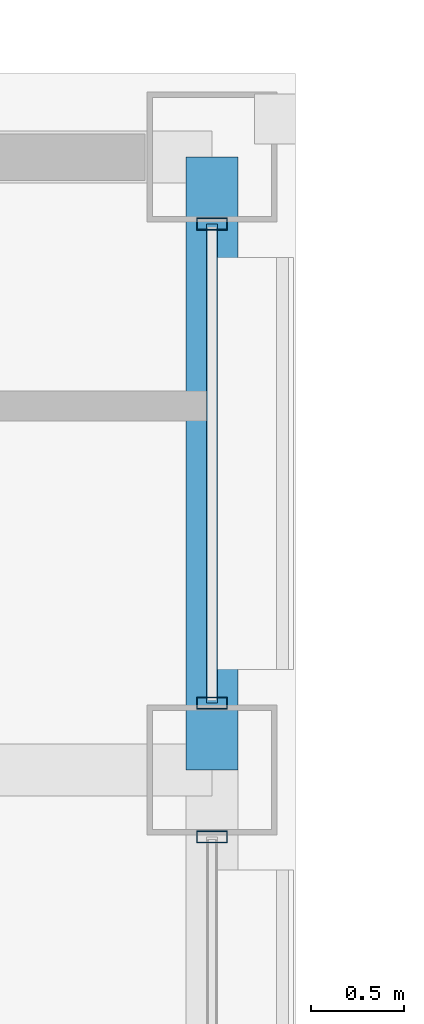
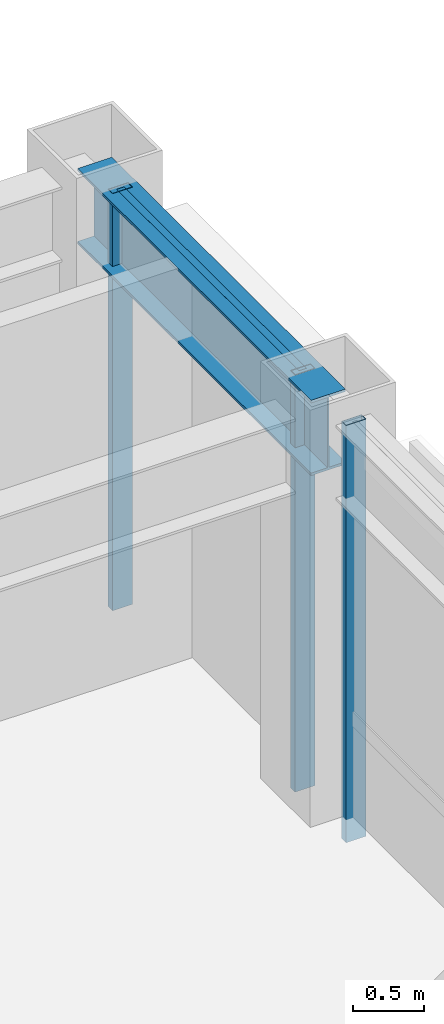
# One storey, part 18 of 30: 4 members, 1 beam, 2 elements without a shape of their own.
"""IFC4 building model written with IfcOpenShell, lengths in metres."""

import ifcopenshell
import ifcopenshell.guid

model = None  # the IFC model being written
_history = None  # IfcOwnerHistory: only IFC2X3 demands one
_inside = {}  # id of a spatial element -> (the spatial element, [elements in it])
_under = {}  # id of a project, library or spatial element -> (it, [spatial elements below it])
_declared = {}  # id of a project -> (the project, [libraries it declares])
_typed = {}  # id of a type object -> (the type object, [elements of that type])
_made_of = {}  # id of a material, layer set ... -> (it, [elements and type objects made of it])


def new_model(schema):
    """Start an empty IFC model of exactly this schema.

    Asked for "IFC4X3", IfcOpenShell would pick the latest addendum, in which some entities
    have other attributes; the version numbers below select the first issue.
    IFC2X3 requires an IfcOwnerHistory on every rooted entity: one is made here for all.
    """
    global model, _history
    if schema == "IFC4X3":
        model = ifcopenshell.file(schema_version=(4, 3, 0, 0))
    else:
        model = ifcopenshell.file(schema=schema)
    _inside.clear()
    _under.clear()
    _declared.clear()
    _typed.clear()
    _made_of.clear()
    _history = None
    if model.schema == "IFC2X3":
        org = make("IfcOrganization", Name="unknown")
        user = make(
            "IfcPersonAndOrganization",
            ThePerson=make("IfcPerson", FamilyName="unknown"),
            TheOrganization=org,
        )
        app = make(
            "IfcApplication",
            ApplicationDeveloper=org,
            Version="unknown",
            ApplicationFullName="unknown",
            ApplicationIdentifier="unknown",
        )
        _history = make(
            "IfcOwnerHistory",
            OwningUser=user,
            OwningApplication=app,
            ChangeAction="ADDED",
            CreationDate=0,
        )
    return model


def make(cls, **values):
    """One entity of the class cls with the attributes given. An attribute that is None is left unset."""
    return model.create_entity(
        cls, **{name: value for name, value in values.items() if value is not None}
    )


def rooted(cls, **values):
    """An entity with a GlobalId (a new one), such as an element, a storey or a relation."""
    return make(cls, GlobalId=ifcopenshell.guid.new(), OwnerHistory=_history, **values)


def si_unit(unit_type, name, prefix=None):
    """IfcSIUnit, for example si_unit("LENGTHUNIT", "METRE", prefix="MILLI")."""
    return make("IfcSIUnit", UnitType=unit_type, Prefix=prefix, Name=name)


def assignment(units):
    """IfcUnitAssignment: the units of a project."""
    return None if units is None else make("IfcUnitAssignment", Units=units)


def point(xyz):
    """IfcCartesianPoint."""
    return None if xyz is None else make("IfcCartesianPoint", Coordinates=xyz)


def direction(xyz):
    """IfcDirection."""
    return None if xyz is None else make("IfcDirection", DirectionRatios=xyz)


def frame(location, z_axis=None, x_axis=None):
    """IfcAxis2Placement3D, a coordinate frame: its origin and axes. An axis left out is left unset."""
    return make(
        "IfcAxis2Placement3D",
        Location=point(location),
        Axis=direction(z_axis),
        RefDirection=direction(x_axis),
    )


def frame_2d(location, x_axis=None):
    """IfcAxis2Placement2D, a coordinate frame in the plane: its origin and x axis."""
    return make(
        "IfcAxis2Placement2D", Location=point(location), RefDirection=direction(x_axis)
    )


def origin():
    """The frame at (0, 0, 0) with its axes left unset."""
    return frame((0.0, 0.0, 0.0))


def origin_2d():
    """The frame at (0, 0) in the plane with its x axis left unset."""
    return frame_2d((0.0, 0.0))


def place(relative_to, where):
    """IfcLocalPlacement: puts the frame where relative to a parent placement (None: the world)."""
    return make(
        "IfcLocalPlacement", PlacementRelTo=relative_to, RelativePlacement=where
    )


def context(
    kind, dimensions, precision=None, world=None, true_north=None, identifier=None
):
    """IfcGeometricRepresentationContext, for example the 3D "Model" context."""
    return make(
        "IfcGeometricRepresentationContext",
        ContextIdentifier=identifier,
        ContextType=kind,
        CoordinateSpaceDimension=dimensions,
        Precision=precision,
        WorldCoordinateSystem=world,
        TrueNorth=true_north,
    )


def subcontext(parent, identifier, kind, view, scale=None):
    """IfcGeometricRepresentationSubContext, for example "Body" below "Model"."""
    return make(
        "IfcGeometricRepresentationSubContext",
        ContextIdentifier=identifier,
        ContextType=kind,
        ParentContext=parent,
        TargetScale=scale,
        TargetView=view,
    )


def project(units=None, contexts=None):
    """IfcProject with its units and contexts."""
    return rooted(
        "IfcProject",
        Name="project",
        RepresentationContexts=contexts,
        UnitsInContext=assignment(units),
    )


def spatial(cls, under=None, at=None, **own):
    """A site, building, storey or space (cls), placed at a placement, below another one or the project."""
    s = rooted(cls, ObjectPlacement=at, **own)
    if under is not None:
        _under.setdefault(under.id(), (under, []))[1].append(s)
    return s


def profile(cls, at=None, kind="AREA", **sizes):
    """A parametric profile (cls). Its sizes go by their IFC names, for example OverallWidth=200.0."""
    return make(cls, ProfileType=kind, Position=at, **sizes)


def hollow_rectangle(**sizes):
    """IfcRectangleHollowProfileDef."""
    return profile("IfcRectangleHollowProfileDef", **sizes)


def i_section(**sizes):
    """IfcIShapeProfileDef."""
    return profile("IfcIShapeProfileDef", **sizes)


def extrude(swept, where, along, depth):
    """IfcExtrudedAreaSolid: the profile swept, set in the frame where, extruded along a direction by depth."""
    return make(
        "IfcExtrudedAreaSolid",
        SweptArea=swept,
        Position=where,
        ExtrudedDirection=direction(along),
        Depth=depth,
    )


def shape(context_of_items, identifier, shape_type, items):
    """IfcShapeRepresentation: the items that make up one representation, for example the "Body"."""
    return make(
        "IfcShapeRepresentation",
        ContextOfItems=context_of_items,
        RepresentationIdentifier=identifier,
        RepresentationType=shape_type,
        Items=items,
    )


def material(Name=None, Category=None):
    """IfcMaterial."""
    return make("IfcMaterial", Name=Name, Category=Category)


def layer(
    of_material, thickness, ventilated=None, Name=None, Category=None, Priority=None
):
    """IfcMaterialLayer: one layer of a wall or slab, of a material (None: an air gap)."""
    return make(
        "IfcMaterialLayer",
        Material=of_material,
        LayerThickness=thickness,
        IsVentilated=ventilated,
        Name=Name,
        Category=Category,
        Priority=Priority,
    )


def layer_set(layers, Name=None):
    """IfcMaterialLayerSet."""
    return make("IfcMaterialLayerSet", MaterialLayers=layers, LayerSetName=Name)


def material_profile(
    of_material, cross_section, Name=None, Category=None, Priority=None
):
    """IfcMaterialProfile: a cross section and its material."""
    return make(
        "IfcMaterialProfile",
        Name=Name,
        Material=of_material,
        Profile=cross_section,
        Priority=Priority,
        Category=Category,
    )


def profile_set(profiles, Name=None, composite=None):
    """IfcMaterialProfileSet."""
    return make(
        "IfcMaterialProfileSet",
        Name=Name,
        MaterialProfiles=profiles,
        CompositeProfile=composite,
    )


def made_of(thing, what):
    """Note that an element or type object is made of a material, layer set ...; save() writes the relation."""
    if what is not None:
        _made_of.setdefault(what.id(), (what, []))[1].append(thing)
    return thing


def type_object(cls, material=None, **own):
    """A type object (cls), such as IfcWallType, which elements share."""
    return made_of(rooted(cls, **own), material)


def element(
    cls,
    number,
    at=None,
    inside=None,
    cuts=None,
    type_object=None,
    material=None,
    context=None,
    identifier="Body",
    shape_type=None,
    held_by="IfcProductDefinitionShape",
    body=None,
    shapes=None,
    **own,
):
    """One element of the class cls, such as IfcWall. Its Tag is "e" and its number.

    at: its placement. inside: the storey or other place that contains it. cuts: it is an
    opening in that element (IfcRelVoidsElement). A single representation is given by context,
    identifier, shape_type and body (its items); several are given by shapes. held_by: the class
    of the entity that holds the representations. save() writes the other relations.
    """
    e = rooted(cls, Tag="e%d" % number, ObjectPlacement=at, **own)
    if body is not None:
        shapes = [shape(context, identifier, shape_type, body)]
    if shapes is not None:
        e.Representation = make(held_by, Representations=shapes)
    if inside is not None:
        _inside.setdefault(inside.id(), (inside, []))[1].append(e)
    if cuts is not None:
        rooted(
            "IfcRelVoidsElement", RelatingBuildingElement=cuts, RelatedOpeningElement=e
        )
    if type_object is not None:
        _typed.setdefault(type_object.id(), (type_object, []))[1].append(e)
    return made_of(e, material)


def aggregate(whole, parts):
    """IfcRelAggregates: a whole, such as a stair, and the parts it consists of."""
    return rooted("IfcRelAggregates", RelatingObject=whole, RelatedObjects=parts)


def save(model, path):
    """Write the relations noted so far, then the file.

    IfcRelAggregates (storeys below a building ...), IfcRelContainedInSpatialStructure (elements
    in a storey), IfcRelDefinesByType, IfcRelAssociatesMaterial and IfcRelDeclares: one each for
    every whole, place, type object, material and project.
    """
    for whole, parts in _under.values():
        aggregate(whole, parts)
    for where, things in _inside.values():
        rooted(
            "IfcRelContainedInSpatialStructure",
            RelatedElements=things,
            RelatingStructure=where,
        )
    for kind, things in _typed.values():
        rooted("IfcRelDefinesByType", RelatedObjects=things, RelatingType=kind)
    for what, things in _made_of.values():
        rooted("IfcRelAssociatesMaterial", RelatedObjects=things, RelatingMaterial=what)
    for by, libraries in _declared.values():
        rooted("IfcRelDeclares", RelatingContext=by, RelatedDefinitions=libraries)
    model.write(path)


model = new_model("IFC4")

# Units and contexts
model_context = context("Model", 3, precision=1e-05, world=origin(), true_north=direction((0.0, 1.0)))
body_context = subcontext(model_context, "Body", "Model", "MODEL_VIEW")
ifc_project = project(units=[si_unit("LENGTHUNIT", "METRE"), si_unit("AREAUNIT", "SQUARE_METRE"), si_unit("VOLUMEUNIT", "CUBIC_METRE"), si_unit("PLANEANGLEUNIT", "RADIAN"), si_unit("MASSUNIT", "GRAM", prefix="KILO")], contexts=[model_context])

# Site, building, storey
site_placement = place(None, origin())
site = spatial("IfcSite", under=ifc_project, at=site_placement, CompositionType="ELEMENT")
building_placement = place(site_placement, origin())
building = spatial("IfcBuilding", under=site, at=building_placement, Name="Brelmoor Portico Tower", CompositionType="ELEMENT")
storey_placement = place(building_placement, frame((0.0, 0.0, 198.300048828125)))
storey = spatial("IfcBuildingStorey", under=building, at=storey_placement, Name="L52", CompositionType="ELEMENT", Elevation=198.300048828125)

# Beam
ifc_material_1 = material(Name="Steel Q355B", Category="steel")
ifc_material_profile_1 = material_profile(ifc_material_1, i_section(OverallWidth=0.280029296875, OverallDepth=0.64990234375, WebThickness=0.012939453125, FlangeThickness=0.02197265625, at=origin_2d()), Name="HN 650x280x13x22")
ifc_profile_set_1 = profile_set([ifc_material_profile_1], Name="Steel Q355B")
beam_type = type_object("IfcBeamType", Name="BM-SP-650", PredefinedType="SPANDREL", material=ifc_profile_set_1)
beam_placement = place(storey_placement, frame((20.550048828125, 9.75, 3.074951171875), z_axis=(0.0, 1.0, 0.0), x_axis=(-1.0, 0.0, 0.0)))
element("IfcBeam", 1, at=beam_placement, inside=storey, type_object=beam_type, Name="L52 Perimeter Spandrel Beam SP-20", PredefinedType="SPANDREL", context=body_context, shape_type="SweptSolid", body=[
    extrude(i_section(OverallWidth=0.280029296875, OverallDepth=0.64990234375, WebThickness=0.012939453125, FlangeThickness=0.02197265625, at=origin_2d()), origin(), (0.0, 0.0, 1.0), 3.300048828125),
])

# Curtain wall, member
ifc_material_2 = material(Name="Anodised Aluminium Alloy 6063-T6", Category="aluminium")
ifc_layer_1 = layer(ifc_material_2, 0.179931640625)
ifc_layer_set_1 = layer_set([ifc_layer_1], Name="Anodised Aluminium Alloy 6063-T6")
curtain_wall_type_1 = type_object("IfcCurtainWallType", Name="CW-TOWER-Z3", PredefinedType="NOTDEFINED", material=ifc_layer_set_1)
curtain_wall_1_placement = place(storey_placement, origin())
curtain_wall_1 = element("IfcCurtainWall", 2, at=curtain_wall_1_placement, inside=storey, type_object=curtain_wall_type_1, Name="L52 Curtain Wall CW-L52-4R-1", PredefinedType="NOTDEFINED")
ifc_material_profile_2 = material_profile(ifc_material_2, hollow_rectangle(XDim=0.06494140625, YDim=0.1650390625, WallThickness=0.00390625, at=origin_2d()), Name="ALU MULLION 65x165")
ifc_profile_set_2 = profile_set([ifc_material_profile_2], Name="Anodised Aluminium Alloy 6063-T6")
member_type_1 = type_object("IfcMemberType", Name="MB-CW-MULL-165", PredefinedType="MULLION", material=ifc_profile_set_2)
member_1_placement = place(storey_placement, frame((20.550048828125, 9.389892578125, -0.199951171875), z_axis=(0.0, 0.0, 1.0), x_axis=(0.0, 1.0, 0.0)))
member_1 = element("IfcMember", 3, at=member_1_placement, type_object=member_type_1, Name="CW-L52-4R-1 Mullion 01", PredefinedType="MULLION", context=body_context, shape_type="SweptSolid", body=[
    extrude(hollow_rectangle(XDim=0.06494140625, YDim=0.1650390625, WallThickness=0.00390625, at=origin_2d()), origin(), (0.0, 0.0, 1.0), 3.599853515625),
])
aggregate(curtain_wall_1, [member_1])

# Curtain wall, members
ifc_layer_2 = layer(ifc_material_2, 0.179931640625)
ifc_layer_set_2 = layer_set([ifc_layer_2], Name="Anodised Aluminium Alloy 6063-T6")
curtain_wall_type_2 = type_object("IfcCurtainWallType", Name="CW-TOWER-Z3-XB", PredefinedType="NOTDEFINED", material=ifc_layer_set_2)
curtain_wall_2_placement = place(storey_placement, origin())
curtain_wall_2 = element("IfcCurtainWall", 4, at=curtain_wall_2_placement, inside=storey, type_object=curtain_wall_type_2, Name="L52 Curtain Wall CW-L52-4R-2", PredefinedType="NOTDEFINED")
member_2_placement = place(storey_placement, frame((20.550048828125, 10.110107421875, -0.199951171875), z_axis=(0.0, 0.0, 1.0), x_axis=(0.0, 1.0, 0.0)))
member_2 = element("IfcMember", 5, at=member_2_placement, type_object=member_type_1, Name="CW-L52-4R-2 Mullion 00", PredefinedType="MULLION", context=body_context, shape_type="SweptSolid", body=[
    extrude(hollow_rectangle(XDim=0.06494140625, YDim=0.1650390625, WallThickness=0.00390625, at=origin_2d()), origin(), (0.0, 0.0, 1.0), 3.599853515625),
])
member_3_placement = place(storey_placement, frame((20.550048828125, 12.68994140625, -0.199951171875), z_axis=(0.0, 0.0, 1.0), x_axis=(0.0, 1.0, 0.0)))
member_3 = element("IfcMember", 6, at=member_3_placement, type_object=member_type_1, Name="CW-L52-4R-2 Mullion 01", PredefinedType="MULLION", context=body_context, shape_type="SweptSolid", body=[
    extrude(hollow_rectangle(XDim=0.06494140625, YDim=0.1650390625, WallThickness=0.00390625, at=origin_2d()), origin(), (0.0, 0.0, 1.0), 3.599853515625),
])
ifc_material_profile_3 = material_profile(ifc_material_2, hollow_rectangle(XDim=0.06005859375, YDim=0.125, WallThickness=0.00341796875, at=origin_2d()), Name="ALU TRANSOM 60x125")
ifc_profile_set_3 = profile_set([ifc_material_profile_3], Name="Anodised Aluminium Alloy 6063-T6")
member_type_2 = type_object("IfcMemberType", Name="MB-CW-TRAN-125", PredefinedType="USERDEFINED", material=ifc_profile_set_3)
member_4_placement = place(storey_placement, frame((20.550048828125, 10.110107421875, 3.33740234375), z_axis=(0.0, 1.0, 0.0), x_axis=(-1.0, 0.0, 0.0)))
member_4 = element("IfcMember", 7, at=member_4_placement, type_object=member_type_2, Name="CW-L52-4R-2 Transom 1-00", ObjectType="TRANSOM", PredefinedType="USERDEFINED", context=body_context, shape_type="SweptSolid", body=[
    extrude(hollow_rectangle(XDim=0.06005859375, YDim=0.125, WallThickness=0.00341796875, at=origin_2d()), origin(), (0.0, 0.0, 1.0), 2.579833984375),
])
aggregate(curtain_wall_2, [member_2, member_3, member_4])

save(model, "model.ifc")
